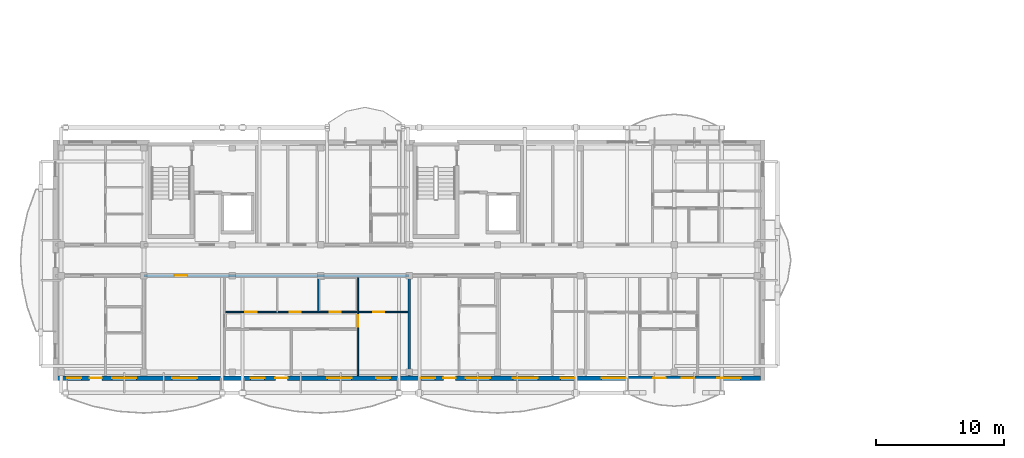
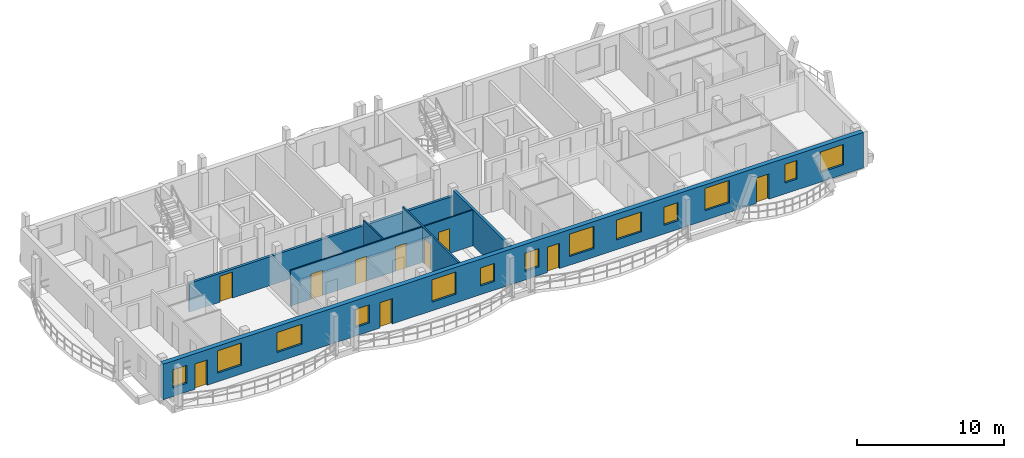
# One storey, part 15 of 42: 13 windows, 10 doors, 6 walls, 23 openings.
"""IFC4 building model written with IfcOpenShell, lengths in metres."""

from ifc_helpers import new_model, si_unit, direction, frame, frame_2d, origin, origin_with_axes, place, context, subcontext, project, spatial, rectangle, extrude, material, layer, layer_set, type_object, element, fill, save


model = new_model("IFC4")

# Units and contexts
model_context = context("Model", 3, precision=1e-05, world=origin(), true_north=direction((0.0, 1.0)))
body_context = subcontext(model_context, "Body", "Model", "MODEL_VIEW")
ifc_project = project(units=[si_unit("LENGTHUNIT", "METRE"), si_unit("AREAUNIT", "SQUARE_METRE"), si_unit("VOLUMEUNIT", "CUBIC_METRE"), si_unit("PLANEANGLEUNIT", "RADIAN"), si_unit("MASSUNIT", "GRAM", prefix="KILO")], contexts=[model_context])

# Site, building, storey
site_placement = place(None, origin())
site = spatial("IfcSite", under=ifc_project, at=site_placement, CompositionType="ELEMENT")
building_placement = place(site_placement, origin())
building = spatial("IfcBuilding", under=site, at=building_placement, Name="Zavelmont Quarter", CompositionType="ELEMENT")
storey_placement = place(building_placement, frame((0.0, 0.0, 24.0)))
storey = spatial("IfcBuildingStorey", under=building, at=storey_placement, Name="L07", CompositionType="ELEMENT", Elevation=24.0)

# Wall, openings, doors, windows
ifc_material_1 = material(Name="Natural Belgian limestone", Category="masonry")
ifc_layer_1 = layer(ifc_material_1, 0.360107421875)
ifc_layer_set_1 = layer_set([ifc_layer_1], Name="Natural Belgian limestone")
wall_type_1 = type_object("IfcWallType", Name="EW02", PredefinedType="STANDARD", material=ifc_layer_set_1)
wall_1_placement = place(storey_placement, frame((0.169921875, 0.0, 0.0), z_axis=(0.0, 0.0, 1.0), x_axis=(1.0, 0.0, 0.0)))
wall_1 = element("IfcWall", 1, at=wall_1_placement, inside=storey, type_object=wall_type_1, Name="L07 exterior limestone wall EW02", PredefinedType="STANDARD", context=body_context, shape_type="SweptSolid", body=[
    extrude(rectangle(XDim=54.860107421875, YDim=0.360107421875, at=frame_2d((27.43017578125, 0.0))), origin(), (0.0, 0.0, 1.0), 2.949951171875),
])
opening_1_placement = place(wall_1_placement, frame((2.5, 0.0, 0.0)))
opening_1 = element("IfcOpeningElement", 2, at=opening_1_placement, cuts=wall_1, Name="Opening DR04", PredefinedType="OPENING", context=body_context, shape_type="SweptSolid", body=[
    extrude(rectangle(XDim=0.949951171875, YDim=2.10009765625, at=frame_2d((0.47509765625, 1.050048828125))), frame((0.0, 0.19189453125, 0.0), z_axis=(0.0, -1.0, 0.0), x_axis=(1.0, 0.0, 0.0)), (0.0, 0.0, 1.0), 0.384033203125),
])
opening_2_placement = place(wall_1_placement, frame((17.0, 0.0, 0.0)))
opening_2 = element("IfcOpeningElement", 3, at=opening_2_placement, cuts=wall_1, Name="Opening DR04", PredefinedType="OPENING", context=body_context, shape_type="SweptSolid", body=[
    extrude(rectangle(XDim=0.949951171875, YDim=2.10009765625, at=frame_2d((0.47509765625, 1.050048828125))), frame((0.0, 0.19189453125, 0.0), z_axis=(0.0, -1.0, 0.0), x_axis=(1.0, 0.0, 0.0)), (0.0, 0.0, 1.0), 0.384033203125),
])
opening_3_placement = place(wall_1_placement, frame((30.10009765625, 0.0, 0.0)))
opening_3 = element("IfcOpeningElement", 4, at=opening_3_placement, cuts=wall_1, Name="Opening DR04", PredefinedType="OPENING", context=body_context, shape_type="SweptSolid", body=[
    extrude(rectangle(XDim=0.949951171875, YDim=2.10009765625, at=frame_2d((0.47509765625, 1.050048828125))), frame((0.0, 0.19189453125, 0.0), z_axis=(0.0, -1.0, 0.0), x_axis=(1.0, 0.0, 0.0)), (0.0, 0.0, 1.0), 0.384033203125),
])
opening_4_placement = place(wall_1_placement, frame((46.5, 0.0, 0.0)))
opening_4 = element("IfcOpeningElement", 5, at=opening_4_placement, cuts=wall_1, Name="Opening DR04", PredefinedType="OPENING", context=body_context, shape_type="SweptSolid", body=[
    extrude(rectangle(XDim=0.949951171875, YDim=2.10009765625, at=frame_2d((0.47509765625, 1.050048828125))), frame((0.0, 0.19189453125, 0.0), z_axis=(0.0, -1.0, 0.0), x_axis=(1.0, 0.0, 0.0)), (0.0, 0.0, 1.0), 0.384033203125),
])
opening_5_placement = place(wall_1_placement, frame((0.75, 0.0, 0.719970703125)))
opening_5 = element("IfcOpeningElement", 6, at=opening_5_placement, cuts=wall_1, Name="Opening WN09", PredefinedType="OPENING", context=body_context, shape_type="SweptSolid", body=[
    extrude(rectangle(XDim=1.10009765625, YDim=1.5, at=frame_2d((0.550048828125, 0.75))), frame((0.0, 0.19189453125, 0.0), z_axis=(0.0, -1.0, 0.0), x_axis=(1.0, 0.0, 0.0)), (0.0, 0.0, 1.0), 0.384033203125),
])
opening_6_placement = place(wall_1_placement, frame((4.25, 0.0, 0.719970703125)))
opening_6 = element("IfcOpeningElement", 7, at=opening_6_placement, cuts=wall_1, Name="Opening WN20", PredefinedType="OPENING", context=body_context, shape_type="SweptSolid", body=[
    extrude(rectangle(XDim=1.89990234375, YDim=1.85009765625, at=frame_2d((0.949951171875, 0.925048828125))), frame((0.0, 0.19189453125, 0.0), z_axis=(0.0, -1.0, 0.0), x_axis=(1.0, 0.0, 0.0)), (0.0, 0.0, 1.0), 0.384033203125),
])
opening_7_placement = place(wall_1_placement, frame((8.925048828125, 0.0, 0.800048828125)))
opening_7 = element("IfcOpeningElement", 8, at=opening_7_placement, cuts=wall_1, Name="Opening WN24", PredefinedType="OPENING", context=body_context, shape_type="SweptSolid", body=[
    extrude(rectangle(XDim=1.949951171875, YDim=1.64990234375, at=frame_2d((0.97509765625, 0.824951171875))), frame((0.0, 0.19189453125, 0.0), z_axis=(0.0, -1.0, 0.0), x_axis=(1.0, 0.0, 0.0)), (0.0, 0.0, 1.0), 0.384033203125),
])
opening_8_placement = place(wall_1_placement, frame((15.050048828125, 0.0, 0.719970703125)))
opening_8 = element("IfcOpeningElement", 9, at=opening_8_placement, cuts=wall_1, Name="Opening WN09", PredefinedType="OPENING", context=body_context, shape_type="SweptSolid", body=[
    extrude(rectangle(XDim=1.10009765625, YDim=1.5, at=frame_2d((0.550048828125, 0.75))), frame((0.0, 0.19189453125, 0.0), z_axis=(0.0, -1.0, 0.0), x_axis=(1.0, 0.0, 0.0)), (0.0, 0.0, 1.0), 0.384033203125),
])
opening_9_placement = place(wall_1_placement, frame((21.050048828125, 0.0, 0.719970703125)))
opening_9 = element("IfcOpeningElement", 10, at=opening_9_placement, cuts=wall_1, Name="Opening WN20", PredefinedType="OPENING", context=body_context, shape_type="SweptSolid", body=[
    extrude(rectangle(XDim=1.89990234375, YDim=1.85009765625, at=frame_2d((0.949951171875, 0.925048828125))), frame((0.0, 0.19189453125, 0.0), z_axis=(0.0, -1.0, 0.0), x_axis=(1.0, 0.0, 0.0)), (0.0, 0.0, 1.0), 0.384033203125),
])
opening_10_placement = place(wall_1_placement, frame((24.85009765625, 0.0, 0.719970703125)))
opening_10 = element("IfcOpeningElement", 11, at=opening_10_placement, cuts=wall_1, Name="Opening WN09", PredefinedType="OPENING", context=body_context, shape_type="SweptSolid", body=[
    extrude(rectangle(XDim=1.10009765625, YDim=1.5, at=frame_2d((0.550048828125, 0.75))), frame((0.0, 0.19189453125, 0.0), z_axis=(0.0, -1.0, 0.0), x_axis=(1.0, 0.0, 0.0)), (0.0, 0.0, 1.0), 0.384033203125),
])
opening_11_placement = place(wall_1_placement, frame((28.35009765625, 0.0, 0.719970703125)))
opening_11 = element("IfcOpeningElement", 12, at=opening_11_placement, cuts=wall_1, Name="Opening WN09", PredefinedType="OPENING", context=body_context, shape_type="SweptSolid", body=[
    extrude(rectangle(XDim=1.10009765625, YDim=1.5, at=frame_2d((0.550048828125, 0.75))), frame((0.0, 0.19189453125, 0.0), z_axis=(0.0, -1.0, 0.0), x_axis=(1.0, 0.0, 0.0)), (0.0, 0.0, 1.0), 0.384033203125),
])
opening_12_placement = place(wall_1_placement, frame((31.85009765625, 0.0, 0.719970703125)))
opening_12 = element("IfcOpeningElement", 13, at=opening_12_placement, cuts=wall_1, Name="Opening WN20", PredefinedType="OPENING", context=body_context, shape_type="SweptSolid", body=[
    extrude(rectangle(XDim=1.89990234375, YDim=1.85009765625, at=frame_2d((0.949951171875, 0.925048828125))), frame((0.0, 0.19189453125, 0.0), z_axis=(0.0, -1.0, 0.0), x_axis=(1.0, 0.0, 0.0)), (0.0, 0.0, 1.0), 0.384033203125),
])
opening_13_placement = place(wall_1_placement, frame((35.52490234375, 0.0, 0.800048828125)))
opening_13 = element("IfcOpeningElement", 14, at=opening_13_placement, cuts=wall_1, Name="Opening WN24", PredefinedType="OPENING", context=body_context, shape_type="SweptSolid", body=[
    extrude(rectangle(XDim=1.949951171875, YDim=1.64990234375, at=frame_2d((0.97509765625, 0.824951171875))), frame((0.0, 0.19189453125, 0.0), z_axis=(0.0, -1.0, 0.0), x_axis=(1.0, 0.0, 0.0)), (0.0, 0.0, 1.0), 0.384033203125),
])
opening_14_placement = place(wall_1_placement, frame((39.25, 0.0, 0.719970703125)))
opening_14 = element("IfcOpeningElement", 15, at=opening_14_placement, cuts=wall_1, Name="Opening WN09", PredefinedType="OPENING", context=body_context, shape_type="SweptSolid", body=[
    extrude(rectangle(XDim=1.10009765625, YDim=1.5, at=frame_2d((0.550048828125, 0.75))), frame((0.0, 0.19189453125, 0.0), z_axis=(0.0, -1.0, 0.0), x_axis=(1.0, 0.0, 0.0)), (0.0, 0.0, 1.0), 0.384033203125),
])
opening_15_placement = place(wall_1_placement, frame((42.449951171875, 0.0, 0.800048828125)))
opening_15 = element("IfcOpeningElement", 16, at=opening_15_placement, cuts=wall_1, Name="Opening WN20", PredefinedType="OPENING", context=body_context, shape_type="SweptSolid", body=[
    extrude(rectangle(XDim=1.89990234375, YDim=1.85009765625, at=frame_2d((0.949951171875, 0.925048828125))), frame((0.0, 0.19189453125, 0.0), z_axis=(0.0, -1.0, 0.0), x_axis=(1.0, 0.0, 0.0)), (0.0, 0.0, 1.0), 0.384033203125),
])
opening_16_placement = place(wall_1_placement, frame((48.699951171875, 0.0, 0.89990234375)))
opening_16 = element("IfcOpeningElement", 17, at=opening_16_placement, cuts=wall_1, Name="Opening WN04", PredefinedType="OPENING", context=body_context, shape_type="SweptSolid", body=[
    extrude(rectangle(XDim=0.949951171875, YDim=1.550048828125, at=frame_2d((0.47509765625, 0.77490234375))), frame((0.0, 0.19189453125, 0.0), z_axis=(0.0, -1.0, 0.0), x_axis=(1.0, 0.0, 0.0)), (0.0, 0.0, 1.0), 0.384033203125),
])
opening_17_placement = place(wall_1_placement, frame((51.5, 0.0, 0.800048828125)))
opening_17 = element("IfcOpeningElement", 18, at=opening_17_placement, cuts=wall_1, Name="Opening WN02", PredefinedType="OPENING", context=body_context, shape_type="SweptSolid", body=[
    extrude(rectangle(XDim=1.800048828125, YDim=1.699951171875, at=frame_2d((0.89990234375, 0.85009765625))), frame((0.0, 0.19189453125, 0.0), z_axis=(0.0, -1.0, 0.0), x_axis=(1.0, 0.0, 0.0)), (0.0, 0.0, 1.0), 0.384033203125),
])
ifc_material_2 = material(Name="Thermally broken aluminium and double safety glass", Category="aluminium")
door_type_1 = type_object("IfcDoorType", Name="DR04", OperationType="NOTDEFINED", PredefinedType="DOOR", material=ifc_material_2)
door_1_placement = place(opening_1_placement, origin_with_axes())
door_1 = element("IfcDoor", 19, at=door_1_placement, inside=storey, type_object=door_type_1, Name="Block A L07 glazed balcony door", OperationType="SINGLE_SWING_RIGHT", OverallHeight=2.10009765625, OverallWidth=0.949951171875, PredefinedType="DOOR", context=body_context, shape_type="SweptSolid", body=[
    extrude(rectangle(XDim=0.949951171875, YDim=2.10009765625, at=frame_2d((0.47509765625, 1.050048828125))), frame((0.0, 0.02490234375, 0.0), z_axis=(0.0, -1.0, 0.0), x_axis=(1.0, 0.0, 0.0)), (0.0, 0.0, 1.0), 0.050048828125),
])
fill(opening_1, door_1)
door_2_placement = place(opening_2_placement, origin_with_axes())
door_2 = element("IfcDoor", 20, at=door_2_placement, inside=storey, type_object=door_type_1, Name="Block A L07 glazed balcony door", OperationType="SINGLE_SWING_RIGHT", OverallHeight=2.10009765625, OverallWidth=0.949951171875, PredefinedType="DOOR", context=body_context, shape_type="SweptSolid", body=[
    extrude(rectangle(XDim=0.949951171875, YDim=2.10009765625, at=frame_2d((0.47509765625, 1.050048828125))), frame((0.0, 0.02490234375, 0.0), z_axis=(0.0, -1.0, 0.0), x_axis=(1.0, 0.0, 0.0)), (0.0, 0.0, 1.0), 0.050048828125),
])
fill(opening_2, door_2)
door_3_placement = place(opening_3_placement, origin_with_axes())
door_3 = element("IfcDoor", 21, at=door_3_placement, inside=storey, type_object=door_type_1, Name="Block A L07 glazed balcony door", OperationType="SINGLE_SWING_RIGHT", OverallHeight=2.10009765625, OverallWidth=0.949951171875, PredefinedType="DOOR", context=body_context, shape_type="SweptSolid", body=[
    extrude(rectangle(XDim=0.949951171875, YDim=2.10009765625, at=frame_2d((0.47509765625, 1.050048828125))), frame((0.0, 0.02490234375, 0.0), z_axis=(0.0, -1.0, 0.0), x_axis=(1.0, 0.0, 0.0)), (0.0, 0.0, 1.0), 0.050048828125),
])
fill(opening_3, door_3)
door_4_placement = place(opening_4_placement, origin_with_axes())
door_4 = element("IfcDoor", 22, at=door_4_placement, inside=storey, type_object=door_type_1, Name="Block A L07 glazed balcony door", OperationType="SINGLE_SWING_RIGHT", OverallHeight=2.10009765625, OverallWidth=0.949951171875, PredefinedType="DOOR", context=body_context, shape_type="SweptSolid", body=[
    extrude(rectangle(XDim=0.949951171875, YDim=2.10009765625, at=frame_2d((0.47509765625, 1.050048828125))), frame((0.0, 0.02490234375, 0.0), z_axis=(0.0, -1.0, 0.0), x_axis=(1.0, 0.0, 0.0)), (0.0, 0.0, 1.0), 0.050048828125),
])
fill(opening_4, door_4)
ifc_material_3 = material(Name="Double low-E insulated glazing in thermally broken aluminium frame", Category="aluminium")
window_type_1 = type_object("IfcWindowType", Name="WN02", PartitioningType="SINGLE_PANEL", PredefinedType="WINDOW", material=ifc_material_3)
window_1_placement = place(opening_17_placement, origin_with_axes())
window_1 = element("IfcWindow", 23, at=window_1_placement, inside=storey, type_object=window_type_1, Name="L07 window WN02", OverallHeight=1.699951171875, OverallWidth=1.800048828125, PartitioningType="SINGLE_PANEL", PredefinedType="WINDOW", context=body_context, shape_type="SweptSolid", body=[
    extrude(rectangle(XDim=1.800048828125, YDim=1.699951171875, at=frame_2d((0.89990234375, 0.85009765625))), frame((0.0, 0.030029296875, 0.0), z_axis=(0.0, -1.0, 0.0), x_axis=(1.0, 0.0, 0.0)), (0.0, 0.0, 1.0), 0.06005859375),
])
fill(opening_17, window_1)
window_type_2 = type_object("IfcWindowType", Name="WN04", PartitioningType="SINGLE_PANEL", PredefinedType="WINDOW", material=ifc_material_3)
window_2_placement = place(opening_16_placement, origin_with_axes())
window_2 = element("IfcWindow", 24, at=window_2_placement, inside=storey, type_object=window_type_2, Name="L07 window WN04", OverallHeight=1.550048828125, OverallWidth=0.949951171875, PartitioningType="SINGLE_PANEL", PredefinedType="WINDOW", context=body_context, shape_type="SweptSolid", body=[
    extrude(rectangle(XDim=0.949951171875, YDim=1.550048828125, at=frame_2d((0.47509765625, 0.77490234375))), frame((0.0, 0.030029296875, 0.0), z_axis=(0.0, -1.0, 0.0), x_axis=(1.0, 0.0, 0.0)), (0.0, 0.0, 1.0), 0.06005859375),
])
fill(opening_16, window_2)
window_type_3 = type_object("IfcWindowType", Name="WN09", PartitioningType="SINGLE_PANEL", PredefinedType="WINDOW", material=ifc_material_3)
window_3_placement = place(opening_5_placement, origin_with_axes())
window_3 = element("IfcWindow", 25, at=window_3_placement, inside=storey, type_object=window_type_3, Name="L07 window WN09", OverallHeight=1.5, OverallWidth=1.10009765625, PartitioningType="SINGLE_PANEL", PredefinedType="WINDOW", context=body_context, shape_type="SweptSolid", body=[
    extrude(rectangle(XDim=1.10009765625, YDim=1.5, at=frame_2d((0.550048828125, 0.75))), frame((0.0, 0.030029296875, 0.0), z_axis=(0.0, -1.0, 0.0), x_axis=(1.0, 0.0, 0.0)), (0.0, 0.0, 1.0), 0.06005859375),
])
fill(opening_5, window_3)
window_4_placement = place(opening_8_placement, origin_with_axes())
window_4 = element("IfcWindow", 26, at=window_4_placement, inside=storey, type_object=window_type_3, Name="L07 window WN09", OverallHeight=1.5, OverallWidth=1.10009765625, PartitioningType="SINGLE_PANEL", PredefinedType="WINDOW", context=body_context, shape_type="SweptSolid", body=[
    extrude(rectangle(XDim=1.10009765625, YDim=1.5, at=frame_2d((0.550048828125, 0.75))), frame((0.0, 0.030029296875, 0.0), z_axis=(0.0, -1.0, 0.0), x_axis=(1.0, 0.0, 0.0)), (0.0, 0.0, 1.0), 0.06005859375),
])
fill(opening_8, window_4)
window_5_placement = place(opening_10_placement, origin_with_axes())
window_5 = element("IfcWindow", 27, at=window_5_placement, inside=storey, type_object=window_type_3, Name="L07 window WN09", OverallHeight=1.5, OverallWidth=1.10009765625, PartitioningType="SINGLE_PANEL", PredefinedType="WINDOW", context=body_context, shape_type="SweptSolid", body=[
    extrude(rectangle(XDim=1.10009765625, YDim=1.5, at=frame_2d((0.550048828125, 0.75))), frame((0.0, 0.030029296875, 0.0), z_axis=(0.0, -1.0, 0.0), x_axis=(1.0, 0.0, 0.0)), (0.0, 0.0, 1.0), 0.06005859375),
])
fill(opening_10, window_5)
window_6_placement = place(opening_11_placement, origin_with_axes())
window_6 = element("IfcWindow", 28, at=window_6_placement, inside=storey, type_object=window_type_3, Name="L07 window WN09", OverallHeight=1.5, OverallWidth=1.10009765625, PartitioningType="SINGLE_PANEL", PredefinedType="WINDOW", context=body_context, shape_type="SweptSolid", body=[
    extrude(rectangle(XDim=1.10009765625, YDim=1.5, at=frame_2d((0.550048828125, 0.75))), frame((0.0, 0.030029296875, 0.0), z_axis=(0.0, -1.0, 0.0), x_axis=(1.0, 0.0, 0.0)), (0.0, 0.0, 1.0), 0.06005859375),
])
fill(opening_11, window_6)
window_7_placement = place(opening_14_placement, origin_with_axes())
window_7 = element("IfcWindow", 29, at=window_7_placement, inside=storey, type_object=window_type_3, Name="L07 window WN09", OverallHeight=1.5, OverallWidth=1.10009765625, PartitioningType="SINGLE_PANEL", PredefinedType="WINDOW", context=body_context, shape_type="SweptSolid", body=[
    extrude(rectangle(XDim=1.10009765625, YDim=1.5, at=frame_2d((0.550048828125, 0.75))), frame((0.0, 0.030029296875, 0.0), z_axis=(0.0, -1.0, 0.0), x_axis=(1.0, 0.0, 0.0)), (0.0, 0.0, 1.0), 0.06005859375),
])
fill(opening_14, window_7)
window_type_4 = type_object("IfcWindowType", Name="WN20", PartitioningType="SINGLE_PANEL", PredefinedType="WINDOW", material=ifc_material_3)
window_8_placement = place(opening_6_placement, origin_with_axes())
window_8 = element("IfcWindow", 30, at=window_8_placement, inside=storey, type_object=window_type_4, Name="L07 window WN20", OverallHeight=1.85009765625, OverallWidth=1.89990234375, PartitioningType="SINGLE_PANEL", PredefinedType="WINDOW", context=body_context, shape_type="SweptSolid", body=[
    extrude(rectangle(XDim=1.89990234375, YDim=1.85009765625, at=frame_2d((0.949951171875, 0.925048828125))), frame((0.0, 0.030029296875, 0.0), z_axis=(0.0, -1.0, 0.0), x_axis=(1.0, 0.0, 0.0)), (0.0, 0.0, 1.0), 0.06005859375),
])
fill(opening_6, window_8)
window_9_placement = place(opening_9_placement, origin_with_axes())
window_9 = element("IfcWindow", 31, at=window_9_placement, inside=storey, type_object=window_type_4, Name="L07 window WN20", OverallHeight=1.85009765625, OverallWidth=1.89990234375, PartitioningType="SINGLE_PANEL", PredefinedType="WINDOW", context=body_context, shape_type="SweptSolid", body=[
    extrude(rectangle(XDim=1.89990234375, YDim=1.85009765625, at=frame_2d((0.949951171875, 0.925048828125))), frame((0.0, 0.030029296875, 0.0), z_axis=(0.0, -1.0, 0.0), x_axis=(1.0, 0.0, 0.0)), (0.0, 0.0, 1.0), 0.06005859375),
])
fill(opening_9, window_9)
window_10_placement = place(opening_12_placement, origin_with_axes())
window_10 = element("IfcWindow", 32, at=window_10_placement, inside=storey, type_object=window_type_4, Name="L07 window WN20", OverallHeight=1.85009765625, OverallWidth=1.89990234375, PartitioningType="SINGLE_PANEL", PredefinedType="WINDOW", context=body_context, shape_type="SweptSolid", body=[
    extrude(rectangle(XDim=1.89990234375, YDim=1.85009765625, at=frame_2d((0.949951171875, 0.925048828125))), frame((0.0, 0.030029296875, 0.0), z_axis=(0.0, -1.0, 0.0), x_axis=(1.0, 0.0, 0.0)), (0.0, 0.0, 1.0), 0.06005859375),
])
fill(opening_12, window_10)
window_11_placement = place(opening_15_placement, origin_with_axes())
window_11 = element("IfcWindow", 33, at=window_11_placement, inside=storey, type_object=window_type_4, Name="L07 window WN20", OverallHeight=1.85009765625, OverallWidth=1.89990234375, PartitioningType="SINGLE_PANEL", PredefinedType="WINDOW", context=body_context, shape_type="SweptSolid", body=[
    extrude(rectangle(XDim=1.89990234375, YDim=1.85009765625, at=frame_2d((0.949951171875, 0.925048828125))), frame((0.0, 0.030029296875, 0.0), z_axis=(0.0, -1.0, 0.0), x_axis=(1.0, 0.0, 0.0)), (0.0, 0.0, 1.0), 0.06005859375),
])
fill(opening_15, window_11)
window_type_5 = type_object("IfcWindowType", Name="WN24", PartitioningType="SINGLE_PANEL", PredefinedType="WINDOW", material=ifc_material_3)
window_12_placement = place(opening_7_placement, origin_with_axes())
window_12 = element("IfcWindow", 34, at=window_12_placement, inside=storey, type_object=window_type_5, Name="L07 window WN24", OverallHeight=1.64990234375, OverallWidth=1.949951171875, PartitioningType="SINGLE_PANEL", PredefinedType="WINDOW", context=body_context, shape_type="SweptSolid", body=[
    extrude(rectangle(XDim=1.949951171875, YDim=1.64990234375, at=frame_2d((0.97509765625, 0.824951171875))), frame((0.0, 0.030029296875, 0.0), z_axis=(0.0, -1.0, 0.0), x_axis=(1.0, 0.0, 0.0)), (0.0, 0.0, 1.0), 0.06005859375),
])
fill(opening_7, window_12)
window_13_placement = place(opening_13_placement, origin_with_axes())
window_13 = element("IfcWindow", 35, at=window_13_placement, inside=storey, type_object=window_type_5, Name="L07 window WN24", OverallHeight=1.64990234375, OverallWidth=1.949951171875, PartitioningType="SINGLE_PANEL", PredefinedType="WINDOW", context=body_context, shape_type="SweptSolid", body=[
    extrude(rectangle(XDim=1.949951171875, YDim=1.64990234375, at=frame_2d((0.97509765625, 0.824951171875))), frame((0.0, 0.030029296875, 0.0), z_axis=(0.0, -1.0, 0.0), x_axis=(1.0, 0.0, 0.0)), (0.0, 0.0, 1.0), 0.06005859375),
])
fill(opening_13, window_13)

# Wall
ifc_material_4 = material(Name="Calcium-silicate blockwork and acoustic plaster", Category="masonry")
ifc_layer_2 = layer(ifc_material_4, 0.199951171875)
ifc_layer_set_2 = layer_set([ifc_layer_2], Name="Calcium-silicate blockwork and acoustic plaster")
wall_type_2 = type_object("IfcWallType", Name="IW01", PredefinedType="PARTITIONING", material=ifc_layer_set_2)
wall_2_placement = place(storey_placement, frame((27.60009765625, 7.85009765625, 0.0), z_axis=(0.0, 0.0, 1.0), x_axis=(0.0, -1.0, 0.0)))
element("IfcWall", 36, at=wall_2_placement, inside=storey, type_object=wall_type_2, Name="L07 Inter-dwelling compartment wall IW01", PredefinedType="PARTITIONING", context=body_context, shape_type="SweptSolid", body=[
    extrude(rectangle(XDim=7.7001953125, YDim=0.199951171875, at=frame_2d((3.85009765625, 0.0))), origin(), (0.0, 0.0, 1.0), 2.949951171875),
])

# Wall, opening, door
wall_3_placement = place(storey_placement, frame((6.89990234375, 8.0, 0.0), z_axis=(0.0, 0.0, 1.0), x_axis=(1.0, 0.0, 0.0)))
wall_3 = element("IfcWall", 37, at=wall_3_placement, inside=storey, type_object=wall_type_2, Name="L07 Corridor compartment wall IW01", PredefinedType="PARTITIONING", context=body_context, shape_type="SweptSolid", body=[
    extrude(rectangle(XDim=20.7001953125, YDim=0.199951171875, at=frame_2d((10.35009765625, 0.0))), origin(), (0.0, 0.0, 1.0), 2.389892578125),
])
opening_18_placement = place(wall_3_placement, frame((2.39990234375, 0.0, 0.0)))
opening_18 = element("IfcOpeningElement", 38, at=opening_18_placement, cuts=wall_3, Name="Opening DR02", PredefinedType="OPENING", context=body_context, shape_type="SweptSolid", body=[
    extrude(rectangle(XDim=0.949951171875, YDim=2.14990234375, at=frame_2d((0.47509765625, 1.074951171875))), frame((0.0, 0.11181640625, 0.0), z_axis=(0.0, -1.0, 0.0), x_axis=(1.0, 0.0, 0.0)), (0.0, 0.0, 1.0), 0.223876953125),
])
ifc_material_5 = material(Name="Solid-core oak fire leaf in steel frame", Category="steel")
door_type_2 = type_object("IfcDoorType", Name="DR02", OperationType="NOTDEFINED", PredefinedType="DOOR", material=ifc_material_5)
door_5_placement = place(opening_18_placement, frame((0.949951171875, 0.0, 0.0), z_axis=(0.0, 0.0, 1.0), x_axis=(-1.0, 0.0, 0.0)))
door_5 = element("IfcDoor", 39, at=door_5_placement, inside=storey, type_object=door_type_2, Name="L07 door DR02", OperationType="SINGLE_SWING_RIGHT", OverallHeight=2.14990234375, OverallWidth=0.949951171875, PredefinedType="DOOR", context=body_context, shape_type="SweptSolid", body=[
    extrude(rectangle(XDim=0.949951171875, YDim=2.14990234375, at=frame_2d((0.47509765625, 1.074951171875))), frame((0.0, 0.02490234375, 0.0), z_axis=(0.0, -1.0, 0.0), x_axis=(1.0, 0.0, 0.0)), (0.0, 0.0, 1.0), 0.050048828125),
])
fill(opening_18, door_5)

ifc_material_6 = material(Name="Double gypsum board on acoustic steel stud", Category="steel")
ifc_layer_3 = layer(ifc_material_6, 0.125)
ifc_layer_set_3 = layer_set([ifc_layer_3], Name="Double gypsum board on acoustic steel stud")
wall_type_3 = type_object("IfcWallType", Name="IW03", PredefinedType="PARTITIONING", material=ifc_layer_set_3)
wall_4_placement = place(storey_placement, frame((23.60009765625, 7.85009765625, 0.0), z_axis=(0.0, 0.0, 1.0), x_axis=(0.0, -1.0, 0.0)))
wall_4 = element("IfcWall", 40, at=wall_4_placement, inside=storey, type_object=wall_type_3, Name="L07 Partition IW03", PredefinedType="PARTITIONING", context=body_context, shape_type="SweptSolid", body=[
    extrude(rectangle(XDim=7.650146484375, YDim=0.125, at=frame_2d((3.8251953125, 0.0))), origin(), (0.0, 0.0, 1.0), 2.949951171875),
])
opening_19_placement = place(wall_4_placement, frame((2.949951171875, 0.0, 0.0)))
opening_19 = element("IfcOpeningElement", 41, at=opening_19_placement, cuts=wall_4, Name="Opening DR05", PredefinedType="OPENING", context=body_context, shape_type="SweptSolid", body=[
    extrude(rectangle(XDim=0.89990234375, YDim=2.10009765625, at=frame_2d((0.449951171875, 1.050048828125))), frame((0.0, 0.074462890625, 0.0), z_axis=(0.0, -1.0, 0.0), x_axis=(1.0, 0.0, 0.0)), (0.0, 0.0, 1.0), 0.14892578125),
])
ifc_material_7 = material(Name="Engineered oak flush interior door")
door_type_3 = type_object("IfcDoorType", Name="DR05", OperationType="NOTDEFINED", PredefinedType="DOOR", material=ifc_material_7)
door_6_placement = place(opening_19_placement, frame((0.89990234375, 0.0, 0.0), z_axis=(0.0, 0.0, 1.0), x_axis=(-1.0, 0.0, 0.0)))
door_6 = element("IfcDoor", 42, at=door_6_placement, inside=storey, type_object=door_type_3, Name="L07 door DR05", OperationType="SINGLE_SWING_LEFT", OverallHeight=2.10009765625, OverallWidth=0.89990234375, PredefinedType="DOOR", context=body_context, shape_type="SweptSolid", body=[
    extrude(rectangle(XDim=0.89990234375, YDim=2.10009765625, at=frame_2d((0.449951171875, 1.050048828125))), frame((0.0, 0.02490234375, 0.0), z_axis=(0.0, -1.0, 0.0), x_axis=(1.0, 0.0, 0.0)), (0.0, 0.0, 1.0), 0.050048828125),
])
fill(opening_19, door_6)

# Wall
ifc_material_8 = material(Name="Moisture-resistant gypsum board on steel stud", Category="steel")
ifc_layer_4 = layer(ifc_material_8, 0.10009765625)
ifc_layer_set_4 = layer_set([ifc_layer_4], Name="Moisture-resistant gypsum board on steel stud")
wall_type_4 = type_object("IfcWallType", Name="IW04", PredefinedType="PARTITIONING", material=ifc_layer_set_4)
wall_5_placement = place(storey_placement, frame((20.5, 7.85009765625, 0.0), z_axis=(0.0, 0.0, 1.0), x_axis=(0.0, -1.0, 0.0)))
element("IfcWall", 43, at=wall_5_placement, inside=storey, type_object=wall_type_4, Name="L07 Partition IW04", PredefinedType="PARTITIONING", context=body_context, shape_type="SweptSolid", body=[
    extrude(rectangle(XDim=2.7001953125, YDim=0.10009765625, at=frame_2d((1.35009765625, 0.0))), origin(), (0.0, 0.0, 1.0), 2.949951171875),
])

# Wall, openings, doors
wall_6_placement = place(storey_placement, frame((13.199951171875, 5.14990234375, 0.0), z_axis=(0.0, 0.0, 1.0), x_axis=(1.0, 0.0, 0.0)))
wall_6 = element("IfcWall", 44, at=wall_6_placement, inside=storey, type_object=wall_type_4, Name="L07 Partition IW04", PredefinedType="PARTITIONING", context=body_context, shape_type="SweptSolid", body=[
    extrude(rectangle(XDim=14.300048828125, YDim=0.10009765625, at=frame_2d((7.14990234375, 0.0))), origin(), (0.0, 0.0, 1.0), 2.949951171875),
])
opening_20_placement = place(wall_6_placement, frame((1.60009765625, 0.0, 0.0)))
opening_20 = element("IfcOpeningElement", 45, at=opening_20_placement, cuts=wall_6, Name="Opening DR05", PredefinedType="OPENING", context=body_context, shape_type="SweptSolid", body=[
    extrude(rectangle(XDim=0.89990234375, YDim=2.10009765625, at=frame_2d((0.449951171875, 1.050048828125))), frame((0.0, 0.06201171875, 0.0), z_axis=(0.0, -1.0, 0.0), x_axis=(1.0, 0.0, 0.0)), (0.0, 0.0, 1.0), 0.1240234375),
])
opening_21_placement = place(wall_6_placement, frame((5.10009765625, 0.0, 0.0)))
opening_21 = element("IfcOpeningElement", 46, at=opening_21_placement, cuts=wall_6, Name="Opening DR06", PredefinedType="OPENING", context=body_context, shape_type="SweptSolid", body=[
    extrude(rectangle(XDim=0.85009765625, YDim=2.050048828125, at=frame_2d((0.425048828125, 1.02490234375))), frame((0.0, 0.06201171875, 0.0), z_axis=(0.0, -1.0, 0.0), x_axis=(1.0, 0.0, 0.0)), (0.0, 0.0, 1.0), 0.1240234375),
])
opening_22_placement = place(wall_6_placement, frame((8.199951171875, 0.0, 0.0)))
opening_22 = element("IfcOpeningElement", 47, at=opening_22_placement, cuts=wall_6, Name="Opening DR06", PredefinedType="OPENING", context=body_context, shape_type="SweptSolid", body=[
    extrude(rectangle(XDim=0.85009765625, YDim=2.050048828125, at=frame_2d((0.425048828125, 1.02490234375))), frame((0.0, 0.06201171875, 0.0), z_axis=(0.0, -1.0, 0.0), x_axis=(1.0, 0.0, 0.0)), (0.0, 0.0, 1.0), 0.1240234375),
])
opening_23_placement = place(wall_6_placement, frame((11.60009765625, 0.0, 0.0)))
opening_23 = element("IfcOpeningElement", 48, at=opening_23_placement, cuts=wall_6, Name="Opening DR06", PredefinedType="OPENING", context=body_context, shape_type="SweptSolid", body=[
    extrude(rectangle(XDim=0.85009765625, YDim=2.050048828125, at=frame_2d((0.425048828125, 1.02490234375))), frame((0.0, 0.06201171875, 0.0), z_axis=(0.0, -1.0, 0.0), x_axis=(1.0, 0.0, 0.0)), (0.0, 0.0, 1.0), 0.1240234375),
])
door_7_placement = place(opening_20_placement, origin_with_axes())
door_7 = element("IfcDoor", 49, at=door_7_placement, inside=storey, type_object=door_type_3, Name="L07 door DR05", OperationType="SINGLE_SWING_RIGHT", OverallHeight=2.10009765625, OverallWidth=0.89990234375, PredefinedType="DOOR", context=body_context, shape_type="SweptSolid", body=[
    extrude(rectangle(XDim=0.89990234375, YDim=2.10009765625, at=frame_2d((0.449951171875, 1.050048828125))), frame((0.0, 0.02490234375, 0.0), z_axis=(0.0, -1.0, 0.0), x_axis=(1.0, 0.0, 0.0)), (0.0, 0.0, 1.0), 0.050048828125),
])
fill(opening_20, door_7)
ifc_material_9 = material(Name="Moisture-resistant painted wet-room door")
door_type_4 = type_object("IfcDoorType", Name="DR06", OperationType="NOTDEFINED", PredefinedType="DOOR", material=ifc_material_9)
door_8_placement = place(opening_21_placement, frame((0.85009765625, 0.0, 0.0), z_axis=(0.0, 0.0, 1.0), x_axis=(-1.0, 0.0, 0.0)))
door_8 = element("IfcDoor", 50, at=door_8_placement, inside=storey, type_object=door_type_4, Name="L07 door DR06", OperationType="SINGLE_SWING_LEFT", OverallHeight=2.050048828125, OverallWidth=0.85009765625, PredefinedType="DOOR", context=body_context, shape_type="SweptSolid", body=[
    extrude(rectangle(XDim=0.85009765625, YDim=2.050048828125, at=frame_2d((0.425048828125, 1.02490234375))), frame((0.0, 0.02490234375, 0.0), z_axis=(0.0, -1.0, 0.0), x_axis=(1.0, 0.0, 0.0)), (0.0, 0.0, 1.0), 0.050048828125),
])
fill(opening_21, door_8)
door_9_placement = place(opening_22_placement, origin_with_axes())
door_9 = element("IfcDoor", 51, at=door_9_placement, inside=storey, type_object=door_type_4, Name="L07 door DR06", OperationType="SINGLE_SWING_RIGHT", OverallHeight=2.050048828125, OverallWidth=0.85009765625, PredefinedType="DOOR", context=body_context, shape_type="SweptSolid", body=[
    extrude(rectangle(XDim=0.85009765625, YDim=2.050048828125, at=frame_2d((0.425048828125, 1.02490234375))), frame((0.0, 0.02490234375, 0.0), z_axis=(0.0, -1.0, 0.0), x_axis=(1.0, 0.0, 0.0)), (0.0, 0.0, 1.0), 0.050048828125),
])
fill(opening_22, door_9)
door_10_placement = place(opening_23_placement, frame((0.85009765625, 0.0, 0.0), z_axis=(0.0, 0.0, 1.0), x_axis=(-1.0, 0.0, 0.0)))
door_10 = element("IfcDoor", 52, at=door_10_placement, inside=storey, type_object=door_type_4, Name="L07 door DR06", OperationType="SINGLE_SWING_LEFT", OverallHeight=2.050048828125, OverallWidth=0.85009765625, PredefinedType="DOOR", context=body_context, shape_type="SweptSolid", body=[
    extrude(rectangle(XDim=0.85009765625, YDim=2.050048828125, at=frame_2d((0.425048828125, 1.02490234375))), frame((0.0, 0.02490234375, 0.0), z_axis=(0.0, -1.0, 0.0), x_axis=(1.0, 0.0, 0.0)), (0.0, 0.0, 1.0), 0.050048828125),
])
fill(opening_23, door_10)

save(model, "model.ifc")
